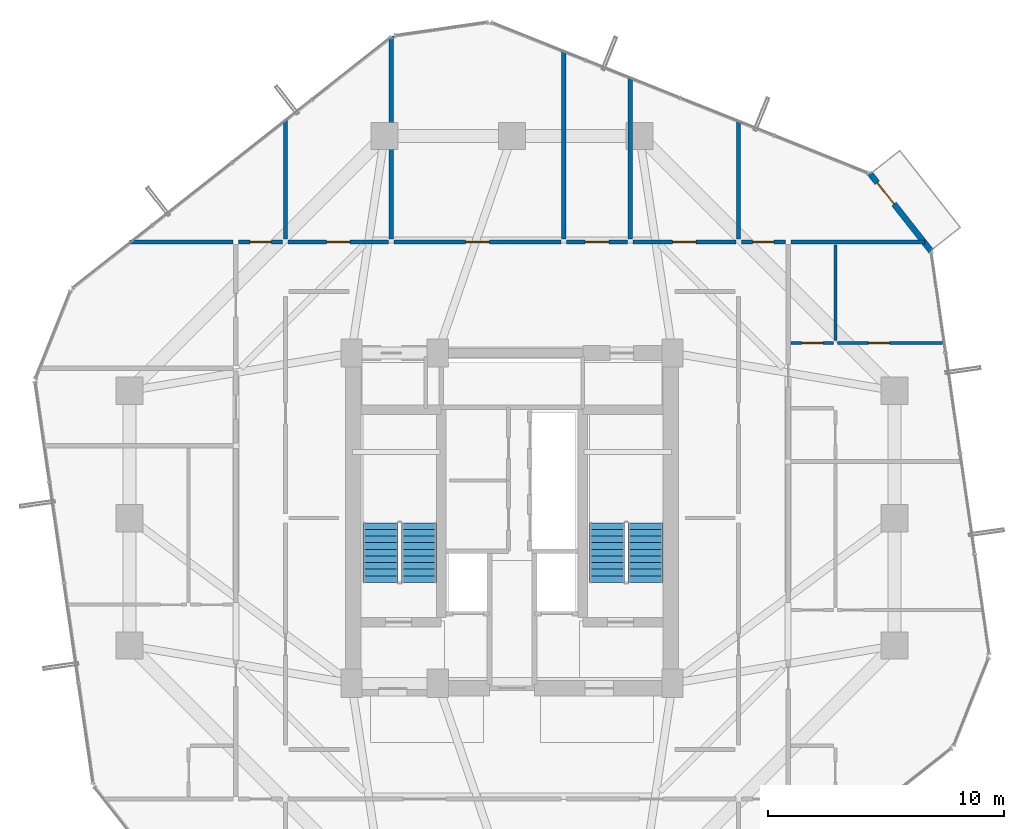
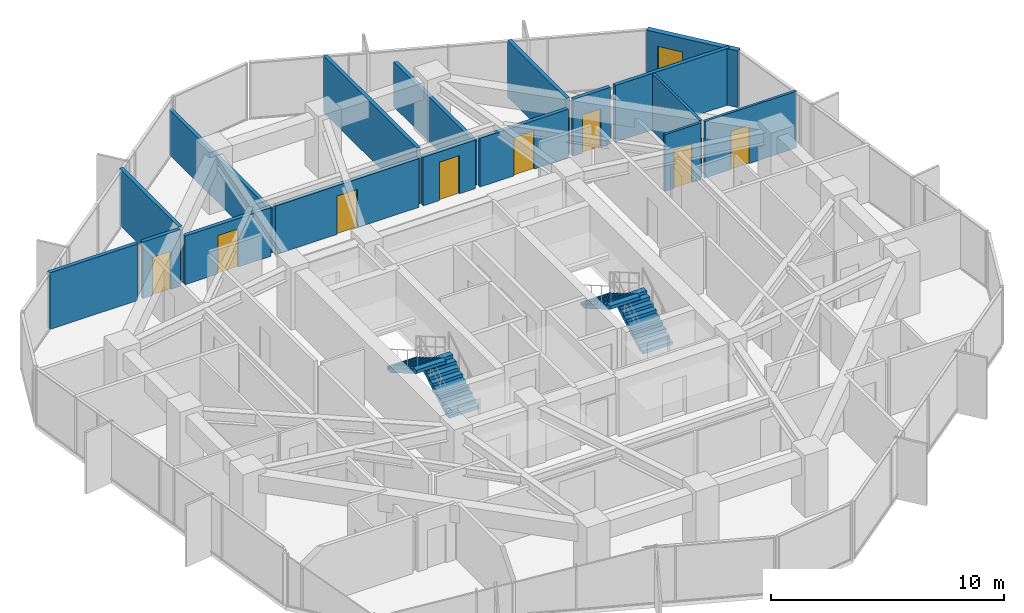
# One storey, part 32 of 34: 17 walls, 9 doors, 4 stair flights, 9 openings, 2 elements without a shape of their own.
"""IFC4 building model written with IfcOpenShell, lengths in metres."""

from ifc_helpers import new_model, si_unit, direction, frame, frame_2d, origin, place, context, subcontext, project, spatial, polyline, rectangle, outline, extrude, source, transform, mapped, material, layer, layer_set, type_object, element, fill, aggregate, save


model = new_model("IFC4")

# Units and contexts
model_context = context("Model", 3, precision=1e-05, world=origin(), true_north=direction((0.0, 1.0)))
body_context = subcontext(model_context, "Body", "Model", "MODEL_VIEW")
ifc_project = project(units=[si_unit("LENGTHUNIT", "METRE"), si_unit("AREAUNIT", "SQUARE_METRE"), si_unit("VOLUMEUNIT", "CUBIC_METRE"), si_unit("PLANEANGLEUNIT", "RADIAN"), si_unit("MASSUNIT", "GRAM", prefix="KILO")], contexts=[model_context])

# Site, building, storey
site_placement = place(None, origin())
site = spatial("IfcSite", under=ifc_project, at=site_placement, CompositionType="ELEMENT")
building_placement = place(site_placement, origin())
building = spatial("IfcBuilding", under=site, at=building_placement, Name="Veraguas Prism Commons", CompositionType="ELEMENT")
storey_placement = place(building_placement, frame((0.0, 0.0, 155.5)))
storey = spatial("IfcBuildingStorey", under=building, at=storey_placement, Name="L44", CompositionType="ELEMENT", Elevation=155.5)

# Walls
ifc_material_1 = material(Name="Autoclaved aerated masonry block 10 MPa", Category="masonry")
ifc_layer_1 = layer(ifc_material_1, 0.179931640625, Name="Corridor and Inter-Tenancy Partition 180", Category="masonry")
ifc_layer_set_1 = layer_set([ifc_layer_1], Name="Autoclaved aerated masonry block 10 MPa")
wall_type_1 = type_object("IfcWallType", Name="Corridor and Inter-Tenancy Partition 180", PredefinedType="PARTITIONING", material=ifc_layer_set_1)
wall_1_placement = place(storey_placement, frame((14.39990234375, 35.820068359375, 0.0), z_axis=(0.0, 0.0, 1.0), x_axis=(0.0, 1.0, 0.0)))
element("IfcWall", 1, at=wall_1_placement, inside=storey, type_object=wall_type_1, Name="WL-L44-PT005", PredefinedType="PARTITIONING", context=body_context, shape_type="SweptSolid", body=[
    extrude(rectangle(XDim=5.074462890625, YDim=0.179931640625, at=frame_2d((2.537109375, 0.0))), origin(), (0.0, 0.0, 1.0), 2.969970703125),
])
wall_2_placement = place(storey_placement, frame((33.60009765625, 35.820068359375, 0.0), z_axis=(0.0, 0.0, 1.0), x_axis=(0.0, 1.0, 0.0)))
element("IfcWall", 2, at=wall_2_placement, inside=storey, type_object=wall_type_1, Name="WL-L44-PT006", PredefinedType="PARTITIONING", context=body_context, shape_type="SweptSolid", body=[
    extrude(rectangle(XDim=5.033447265625, YDim=0.179931640625, at=frame_2d((2.5166015625, 0.0))), origin(), (0.0, 0.0, 1.0), 2.969970703125),
])

# Wall, opening, door
wall_3_placement = place(storey_placement, frame((14.510009765625, 35.699951171875, 0.0), z_axis=(0.0, 0.0, 1.0), x_axis=(1.0, 0.0, 0.0)))
wall_3 = element("IfcWall", 3, at=wall_3_placement, inside=storey, type_object=wall_type_1, Name="WL-L44-PT007", PredefinedType="PARTITIONING", context=body_context, shape_type="SweptSolid", body=[
    extrude(rectangle(XDim=4.261962890625, YDim=0.179931640625, at=frame_2d((2.130859375, 0.0))), origin(), (0.0, 0.0, 1.0), 2.550048828125),
])
opening_1_placement = place(wall_3_placement, frame((1.631103515625, 0.0, 0.0)))
opening_1 = element("IfcOpeningElement", 4, at=opening_1_placement, cuts=wall_3, Name="Opening DR-13", PredefinedType="OPENING", context=body_context, shape_type="SweptSolid", body=[
    extrude(rectangle(XDim=1.0, YDim=2.010009765625, at=frame_2d((0.5, 1.0048828125))), frame((0.0, 0.099853515625, 0.0), z_axis=(0.0, -1.0, 0.0), x_axis=(1.0, 0.0, 0.0)), (0.0, 0.0, 1.0), 0.199951171875),
])
ifc_material_2 = material(Name="Steel fire-rated door assembly", Category="steel")
door_type_1 = type_object("IfcDoorType", Name="Core Accessible WC and Clinic Fire Door 1000x2010", OperationType="NOTDEFINED", PredefinedType="DOOR", material=ifc_material_2)
shared_shape_1 = source(origin(), body_context, "Body", "SweptSolid", [
    extrude(rectangle(XDim=1.0, YDim=2.010009765625, at=frame_2d((0.5, 1.0048828125))), frame((0.0, 0.02490234375, 0.0), z_axis=(0.0, -1.0, 0.0), x_axis=(1.0, 0.0, 0.0)), (0.0, 0.0, 1.0), 0.050048828125),
])
door_1_placement = place(opening_1_placement, origin())
door_1 = element("IfcDoor", 5, at=door_1_placement, inside=storey, type_object=door_type_1, Name="Community Co-op Kitchen Door", OperationType="SINGLE_SWING_LEFT", OverallHeight=2.010009765625, OverallWidth=1.0, PredefinedType="DOOR", context=body_context, shape_type="MappedRepresentation", body=[
    mapped(shared_shape_1, transform((0.0, 0.0, 0.0), scale=1.0)),
])
fill(opening_1, door_1)

wall_4_placement = place(storey_placement, frame((18.991943359375, 35.699951171875, 0.0), z_axis=(0.0, 0.0, 1.0), x_axis=(1.0, 0.0, 0.0)))
wall_4 = element("IfcWall", 6, at=wall_4_placement, inside=storey, type_object=wall_type_1, Name="WL-L44-PT008", PredefinedType="PARTITIONING", context=body_context, shape_type="SweptSolid", body=[
    extrude(rectangle(XDim=7.092041015625, YDim=0.179931640625, at=frame_2d((3.5458984375, 0.0))), origin(), (0.0, 0.0, 1.0), 2.550048828125),
])
opening_2_placement = place(wall_4_placement, frame((3.0458984375, 0.0, 0.0)))
opening_2 = element("IfcOpeningElement", 7, at=opening_2_placement, cuts=wall_4, Name="Opening DR-13", PredefinedType="OPENING", context=body_context, shape_type="SweptSolid", body=[
    extrude(rectangle(XDim=1.0, YDim=2.010009765625, at=frame_2d((0.5, 1.0048828125))), frame((0.0, 0.099853515625, 0.0), z_axis=(0.0, -1.0, 0.0), x_axis=(1.0, 0.0, 0.0)), (0.0, 0.0, 1.0), 0.199951171875),
])
door_2_placement = place(opening_2_placement, origin())
door_2 = element("IfcDoor", 8, at=door_2_placement, inside=storey, type_object=door_type_1, Name="Co-op Store N Door", OperationType="SINGLE_SWING_RIGHT", OverallHeight=2.010009765625, OverallWidth=1.0, PredefinedType="DOOR", context=body_context, shape_type="MappedRepresentation", body=[
    mapped(shared_shape_1, transform((0.0, 0.0, 0.0), scale=1.0)),
])
fill(opening_2, door_2)

# Walls
wall_5_placement = place(storey_placement, frame((18.882080078125, 35.820068359375, 0.0), z_axis=(0.0, 0.0, 1.0), x_axis=(0.0, 1.0, 0.0)))
element("IfcWall", 9, at=wall_5_placement, inside=storey, type_object=wall_type_1, Name="WL-L44-PT009", PredefinedType="PARTITIONING", context=body_context, shape_type="SweptSolid", body=[
    extrude(rectangle(XDim=8.604248046875, YDim=0.179931640625, at=frame_2d((4.30224609375, 0.0))), origin(), (0.0, 0.0, 1.0), 2.347900390625),
])
wall_6_placement = place(storey_placement, frame((26.194091796875, 35.820068359375, 0.0), z_axis=(0.0, 0.0, 1.0), x_axis=(0.0, 1.0, 0.0)))
element("IfcWall", 10, at=wall_6_placement, inside=storey, type_object=wall_type_1, Name="WL-L44-PT010", PredefinedType="PARTITIONING", context=body_context, shape_type="SweptSolid", body=[
    extrude(rectangle(XDim=7.99267578125, YDim=0.179931640625, at=frame_2d((3.996337890625, 0.0))), origin(), (0.0, 0.0, 1.0), 2.969970703125),
])

# Wall, opening, door
wall_7_placement = place(storey_placement, frame((26.303955078125, 35.699951171875, 0.0), z_axis=(0.0, 0.0, 1.0), x_axis=(1.0, 0.0, 0.0)))
wall_7 = element("IfcWall", 11, at=wall_7_placement, inside=storey, type_object=wall_type_1, Name="WL-L44-PT011", PredefinedType="PARTITIONING", context=body_context, shape_type="SweptSolid", body=[
    extrude(rectangle(XDim=2.593994140625, YDim=0.179931640625, at=frame_2d((1.296875, 0.0))), origin(), (0.0, 0.0, 1.0), 2.550048828125),
])
opening_3_placement = place(wall_7_placement, frame((0.797119140625, 0.0, 0.0)))
opening_3 = element("IfcOpeningElement", 12, at=opening_3_placement, cuts=wall_7, Name="Opening DR-13", PredefinedType="OPENING", context=body_context, shape_type="SweptSolid", body=[
    extrude(rectangle(XDim=1.0, YDim=2.010009765625, at=frame_2d((0.5, 1.0048828125))), frame((0.0, 0.099853515625, 0.0), z_axis=(0.0, -1.0, 0.0), x_axis=(1.0, 0.0, 0.0)), (0.0, 0.0, 1.0), 0.199951171875),
])
door_3_placement = place(opening_3_placement, origin())
door_3 = element("IfcDoor", 13, at=door_3_placement, inside=storey, type_object=door_type_1, Name="Youth Homework Study Room Door", OperationType="SINGLE_SWING_LEFT", OverallHeight=2.010009765625, OverallWidth=1.0, PredefinedType="DOOR", context=body_context, shape_type="MappedRepresentation", body=[
    mapped(shared_shape_1, transform((0.0, 0.0, 0.0), scale=1.0)),
])
fill(opening_3, door_3)

wall_8_placement = place(storey_placement, frame((29.117919921875, 35.699951171875, 0.0), z_axis=(0.0, 0.0, 1.0), x_axis=(1.0, 0.0, 0.0)))
wall_8 = element("IfcWall", 14, at=wall_8_placement, inside=storey, type_object=wall_type_1, Name="WL-L44-PT012", PredefinedType="PARTITIONING", context=body_context, shape_type="SweptSolid", body=[
    extrude(rectangle(XDim=4.3720703125, YDim=0.179931640625, at=frame_2d((2.18603515625, 0.0))), origin(), (0.0, 0.0, 1.0), 2.550048828125),
])
opening_4_placement = place(wall_8_placement, frame((1.68603515625, 0.0, 0.0)))
opening_4 = element("IfcOpeningElement", 15, at=opening_4_placement, cuts=wall_8, Name="Opening DR-13", PredefinedType="OPENING", context=body_context, shape_type="SweptSolid", body=[
    extrude(rectangle(XDim=1.0, YDim=2.010009765625, at=frame_2d((0.5, 1.0048828125))), frame((0.0, 0.099853515625, 0.0), z_axis=(0.0, -1.0, 0.0), x_axis=(1.0, 0.0, 0.0)), (0.0, 0.0, 1.0), 0.199951171875),
])
door_4_placement = place(opening_4_placement, origin())
door_4 = element("IfcDoor", 16, at=door_4_placement, inside=storey, type_object=door_type_1, Name="Co-op Store N Door", OperationType="SINGLE_SWING_RIGHT", OverallHeight=2.010009765625, OverallWidth=1.0, PredefinedType="DOOR", context=body_context, shape_type="MappedRepresentation", body=[
    mapped(shared_shape_1, transform((0.0, 0.0, 0.0), scale=1.0)),
])
fill(opening_4, door_4)

# Walls
wall_9_placement = place(storey_placement, frame((29.008056640625, 35.820068359375, 0.0), z_axis=(0.0, 0.0, 1.0), x_axis=(0.0, 1.0, 0.0)))
element("IfcWall", 17, at=wall_9_placement, inside=storey, type_object=wall_type_1, Name="WL-L44-PT013", PredefinedType="PARTITIONING", context=body_context, shape_type="SweptSolid", body=[
    extrude(rectangle(XDim=6.8681640625, YDim=0.179931640625, at=frame_2d((3.43408203125, 0.0))), origin(), (0.0, 0.0, 1.0), 2.347900390625),
])
wall_10_placement = place(storey_placement, frame((12.179931640625, 35.699951171875, 0.0), z_axis=(0.0, 0.0, 1.0), x_axis=(-1.0, 0.0, 0.0)))
element("IfcWall", 18, at=wall_10_placement, inside=storey, type_object=wall_type_1, Name="WL-L44-PT015", PredefinedType="PARTITIONING", context=body_context, shape_type="SweptSolid", body=[
    extrude(rectangle(XDim=4.376220703125, YDim=0.179931640625, at=frame_2d((2.18798828125, 0.0))), origin(), (0.0, 0.0, 1.0), 2.969970703125),
])
wall_11_placement = place(storey_placement, frame((35.820068359375, 35.699951171875, 0.0), z_axis=(0.0, 0.0, 1.0), x_axis=(1.0, 0.0, 0.0)))
element("IfcWall", 19, at=wall_11_placement, inside=storey, type_object=wall_type_1, Name="WL-L44-PT027", PredefinedType="PARTITIONING", context=body_context, shape_type="SweptSolid", body=[
    extrude(rectangle(XDim=5.672119140625, YDim=0.179931640625, at=frame_2d((2.8359375, 0.0))), origin(), (0.0, 0.0, 1.0), 2.969970703125),
])

# Wall, opening, door
wall_12_placement = place(storey_placement, frame((12.419921875, 35.699951171875, 0.0), z_axis=(0.0, 0.0, 1.0), x_axis=(1.0, 0.0, 0.0)))
wall_12 = element("IfcWall", 20, at=wall_12_placement, inside=storey, type_object=wall_type_1, Name="WL-L44-PT043", PredefinedType="PARTITIONING", context=body_context, shape_type="SweptSolid", body=[
    extrude(rectangle(XDim=1.860107421875, YDim=0.179931640625, at=frame_2d((0.93017578125, 0.0))), origin(), (0.0, 0.0, 1.0), 2.969970703125),
])
opening_5_placement = place(wall_12_placement, frame((0.47998046875, 0.0, 0.0)))
opening_5 = element("IfcOpeningElement", 21, at=opening_5_placement, cuts=wall_12, Name="Opening DR-14", PredefinedType="OPENING", context=body_context, shape_type="SweptSolid", body=[
    extrude(rectangle(XDim=0.89990234375, YDim=2.010009765625, at=frame_2d((0.449951171875, 1.0048828125))), frame((0.0, 0.099853515625, 0.0), z_axis=(0.0, -1.0, 0.0), x_axis=(1.0, 0.0, 0.0)), (0.0, 0.0, 1.0), 0.199951171875),
])
door_type_2 = type_object("IfcDoorType", Name="Core Service Room Fire Door 900x2010", OperationType="NOTDEFINED", PredefinedType="DOOR", material=ifc_material_2)
shared_shape_2 = source(origin(), body_context, "Body", "SweptSolid", [
    extrude(rectangle(XDim=0.89990234375, YDim=2.010009765625, at=frame_2d((0.449951171875, 1.0048828125))), frame((0.0, 0.02490234375, 0.0), z_axis=(0.0, -1.0, 0.0), x_axis=(1.0, 0.0, 0.0)), (0.0, 0.0, 1.0), 0.050048828125),
])
door_5_placement = place(opening_5_placement, origin())
door_5 = element("IfcDoor", 22, at=door_5_placement, inside=storey, type_object=door_type_2, Name="Community Co-op Kitchen NW Door", OperationType="SINGLE_SWING_LEFT", OverallHeight=2.010009765625, OverallWidth=0.89990234375, PredefinedType="DOOR", context=body_context, shape_type="MappedRepresentation", body=[
    mapped(shared_shape_2, transform((0.0, 0.0, 0.0), scale=1.0)),
])
fill(opening_5, door_5)

wall_13_placement = place(storey_placement, frame((33.719970703125, 35.699951171875, 0.0), z_axis=(0.0, 0.0, 1.0), x_axis=(1.0, 0.0, 0.0)))
wall_13 = element("IfcWall", 23, at=wall_13_placement, inside=storey, type_object=wall_type_1, Name="WL-L44-PT044", PredefinedType="PARTITIONING", context=body_context, shape_type="SweptSolid", body=[
    extrude(rectangle(XDim=1.860107421875, YDim=0.179931640625, at=frame_2d((0.93017578125, 0.0))), origin(), (0.0, 0.0, 1.0), 2.969970703125),
])
opening_6_placement = place(wall_13_placement, frame((0.47998046875, 0.0, 0.0)))
opening_6 = element("IfcOpeningElement", 24, at=opening_6_placement, cuts=wall_13, Name="Opening DR-14", PredefinedType="OPENING", context=body_context, shape_type="SweptSolid", body=[
    extrude(rectangle(XDim=0.89990234375, YDim=2.010009765625, at=frame_2d((0.449951171875, 1.0048828125))), frame((0.0, 0.099853515625, 0.0), z_axis=(0.0, -1.0, 0.0), x_axis=(1.0, 0.0, 0.0)), (0.0, 0.0, 1.0), 0.199951171875),
])
door_6_placement = place(opening_6_placement, origin())
door_6 = element("IfcDoor", 25, at=door_6_placement, inside=storey, type_object=door_type_2, Name="Residents Cycle and Pram Store NE Door", OperationType="SINGLE_SWING_RIGHT", OverallHeight=2.010009765625, OverallWidth=0.89990234375, PredefinedType="DOOR", context=body_context, shape_type="MappedRepresentation", body=[
    mapped(shared_shape_2, transform((0.0, 0.0, 0.0), scale=1.0)),
])
fill(opening_6, door_6)

ifc_material_3 = material(Name="Precast concrete C40/50", Category="concrete")
ifc_layer_2 = layer(ifc_material_3, 0.25, Name="External Loggia and Portal Wall 250", Category="concrete")
ifc_layer_set_2 = layer_set([ifc_layer_2], Name="Precast concrete C40/50")
wall_type_2 = type_object("IfcWallType", Name="External Loggia and Portal Wall 250", PredefinedType="SOLIDWALL", material=ifc_layer_set_2)
wall_14_placement = place(storey_placement, frame((41.76953125, 35.29931640625, 0.0), z_axis=(0.0, 0.0, 1.0), x_axis=(-0.618677028306, 0.785645425523, 0.0)))
wall_14 = element("IfcWall", 26, at=wall_14_placement, inside=storey, type_object=wall_type_2, Name="Corner Loggia Wall L44-C1", PredefinedType="SOLIDWALL", context=body_context, shape_type="SweptSolid", body=[
    extrude(rectangle(XDim=4.233154296875, YDim=0.25, at=frame_2d((2.11669921875, 0.0))), origin(), (0.0, 0.0, 1.0), 2.969970703125),
])
opening_7_placement = place(wall_14_placement, frame((2.56005859375, 0.0, 0.0)))
opening_7 = element("IfcOpeningElement", 27, at=opening_7_placement, cuts=wall_14, Name="Opening DR-10", PredefinedType="OPENING", context=body_context, shape_type="SweptSolid", body=[
    extrude(rectangle(XDim=1.14990234375, YDim=2.25, at=frame_2d((0.574951171875, 1.125))), frame((0.0, 0.135009765625, 0.0), z_axis=(0.0, -1.0, 0.0), x_axis=(1.0, 0.0, 0.0)), (0.0, 0.0, 1.0), 0.27001953125),
])
ifc_material_4 = material(Name="Anodised aluminium EN AW-6063 T6", Category="aluminium")
door_type_3 = type_object("IfcDoorType", Name="Glazed Loggia and Terrace Door 1150x2250", OperationType="NOTDEFINED", PredefinedType="DOOR", material=ifc_material_4)
shared_shape_3 = source(origin(), body_context, "Body", "SweptSolid", [
    extrude(rectangle(XDim=1.14990234375, YDim=2.25, at=frame_2d((0.574951171875, 1.125))), frame((0.0, 0.02490234375, 0.0), z_axis=(0.0, -1.0, 0.0), x_axis=(1.0, 0.0, 0.0)), (0.0, 0.0, 1.0), 0.050048828125),
])
door_7_placement = place(opening_7_placement, frame((1.14990234375, 0.0, 0.0), z_axis=(0.0, 0.0, 1.0), x_axis=(-1.0, 0.0, 0.0)))
door_7 = element("IfcDoor", 28, at=door_7_placement, inside=storey, type_object=door_type_3, Name="Recessed Loggia Door L44-C1", OperationType="SINGLE_SWING_RIGHT", OverallHeight=2.25, OverallWidth=1.14990234375, PredefinedType="DOOR", context=body_context, shape_type="MappedRepresentation", body=[
    mapped(shared_shape_3, transform((0.0, 0.0, 0.0), scale=1.0)),
])
fill(opening_7, door_7)

ifc_material_5 = material(Name="Lightweight acoustic gypsum board")
ifc_layer_3 = layer(ifc_material_5, 0.125, Name="Internal Apartment Room Partition 125")
ifc_layer_set_3 = layer_set([ifc_layer_3], Name="Lightweight acoustic gypsum board")
wall_type_3 = type_object("IfcWallType", Name="Internal Apartment Room Partition 125", PredefinedType="PARTITIONING", material=ifc_layer_set_3)
wall_15_placement = place(storey_placement, frame((35.820068359375, 31.423095703125, 0.0), z_axis=(0.0, 0.0, 1.0), x_axis=(1.0, 0.0, 0.0)))
wall_15 = element("IfcWall", 29, at=wall_15_placement, inside=storey, type_object=wall_type_3, Name="WL-L44-PT038", PredefinedType="PARTITIONING", context=body_context, shape_type="SweptSolid", body=[
    extrude(rectangle(XDim=1.800048828125, YDim=0.125, at=frame_2d((0.89990234375, 0.0))), origin(), (0.0, 0.0, 1.0), 2.969970703125),
])
opening_8_placement = place(wall_15_placement, frame((0.449951171875, 0.0, 0.0)))
opening_8 = element("IfcOpeningElement", 30, at=opening_8_placement, cuts=wall_15, Name="Opening DR-02", PredefinedType="OPENING", context=body_context, shape_type="SweptSolid", body=[
    extrude(rectangle(XDim=0.89990234375, YDim=2.010009765625, at=frame_2d((0.449951171875, 1.0048828125))), frame((0.0, 0.072509765625, 0.0), z_axis=(0.0, -1.0, 0.0), x_axis=(1.0, 0.0, 0.0)), (0.0, 0.0, 1.0), 0.14501953125),
])
ifc_material_6 = material(Name="Timber solid core hardwood", Category="wood")
door_type_4 = type_object("IfcDoorType", Name="Internal Habitable Room Door 900x2010", OperationType="NOTDEFINED", PredefinedType="DOOR", material=ifc_material_6)
door_8_placement = place(opening_8_placement, origin())
door_8 = element("IfcDoor", 31, at=door_8_placement, inside=storey, type_object=door_type_4, Name="Flat 44C Kitchen Door", OperationType="SINGLE_SWING_LEFT", OverallHeight=2.010009765625, OverallWidth=0.89990234375, PredefinedType="DOOR", context=body_context, shape_type="MappedRepresentation", body=[
    mapped(shared_shape_2, transform((0.0, 0.0, 0.0), scale=1.0)),
])
fill(opening_8, door_8)

# Wall
wall_16_placement = place(storey_placement, frame((37.699951171875, 31.52294921875, 0.0), z_axis=(0.0, 0.0, 1.0), x_axis=(0.0, 1.0, 0.0)))
element("IfcWall", 32, at=wall_16_placement, inside=storey, type_object=wall_type_3, Name="WL-L44-PT039", PredefinedType="PARTITIONING", context=body_context, shape_type="SweptSolid", body=[
    extrude(rectangle(XDim=4.05712890625, YDim=0.125, at=frame_2d((2.028564453125, 0.0))), origin(), (0.0, 0.0, 1.0), 2.969970703125),
])

# Wall, opening, door
wall_17_placement = place(storey_placement, frame((37.800048828125, 31.423095703125, 0.0), z_axis=(0.0, 0.0, 1.0), x_axis=(1.0, 0.0, 0.0)))
wall_17 = element("IfcWall", 33, at=wall_17_placement, inside=storey, type_object=wall_type_3, Name="WL-L44-PT040", PredefinedType="PARTITIONING", context=body_context, shape_type="SweptSolid", body=[
    extrude(rectangle(XDim=4.53955078125, YDim=0.125, at=frame_2d((2.269775390625, 0.0))), origin(), (0.0, 0.0, 1.0), 2.969970703125),
])
opening_9_placement = place(wall_17_placement, frame((1.301513671875, 0.0, 0.0)))
opening_9 = element("IfcOpeningElement", 34, at=opening_9_placement, cuts=wall_17, Name="Opening DR-02", PredefinedType="OPENING", context=body_context, shape_type="SweptSolid", body=[
    extrude(rectangle(XDim=0.89990234375, YDim=2.010009765625, at=frame_2d((0.449951171875, 1.0048828125))), frame((0.0, 0.072509765625, 0.0), z_axis=(0.0, -1.0, 0.0), x_axis=(1.0, 0.0, 0.0)), (0.0, 0.0, 1.0), 0.14501953125),
])
door_9_placement = place(opening_9_placement, origin())
door_9 = element("IfcDoor", 35, at=door_9_placement, inside=storey, type_object=door_type_4, Name="Flat 44C Bedroom 1 Door", OperationType="SINGLE_SWING_RIGHT", OverallHeight=2.010009765625, OverallWidth=0.89990234375, PredefinedType="DOOR", context=body_context, shape_type="MappedRepresentation", body=[
    mapped(shared_shape_2, transform((0.0, 0.0, 0.0), scale=1.0)),
])
fill(opening_9, door_9)

# Stair, stair flights
ifc_material_7 = material(Name="Precast concrete C45/55", Category="concrete")
stair_type = type_object("IfcStairType", Name="Dogleg Core Stair 1480W 20R 05", PredefinedType="HALF_TURN_STAIR", material=ifc_material_7)
stair_1_placement = place(storey_placement, origin())
stair_1 = element("IfcStair", 36, at=stair_1_placement, inside=storey, type_object=stair_type, Name="Protected Exit Stair ST-01 L44", PredefinedType="HALF_TURN_STAIR")
stair_flight_type = type_object("IfcStairFlightType", Name="Precast Stair Flight 1480W 10R 05", PredefinedType="STRAIGHT", material=ifc_material_7)
stair_flight_1_placement = place(storey_placement, frame((20.06005859375, 21.280029296875, 0.0), z_axis=(0.0, 0.0, 1.0), x_axis=(0.0, 1.0, 0.0)))
stair_flight_1 = element("IfcStairFlight", 37, at=stair_flight_1_placement, type_object=stair_flight_type, Name="ST-05 Flight 1", NumberOfRisers=10, NumberOfTreads=9, PredefinedType="STRAIGHT", RiserHeight=0.1625, TreadLength=0.28, context=body_context, shape_type="SweptSolid", body=[
    extrude(outline(polyline([(0.0, 0.0), (0.0, 0.16259765625), (0.280029296875, 0.16259765625), (0.280029296875, 0.324951171875), (0.56005859375, 0.324951171875), (0.56005859375, 0.487548828125), (0.840087890625, 0.487548828125), (0.840087890625, 0.64990234375), (1.1201171875, 0.64990234375), (1.1201171875, 0.8125), (1.39990234375, 0.8125), (1.39990234375, 0.97509765625), (1.679931640625, 0.97509765625), (1.679931640625, 1.137451171875), (1.9599609375, 1.137451171875), (1.9599609375, 1.300048828125), (2.239990234375, 1.300048828125), (2.239990234375, 1.46240234375), (2.52001953125, 1.46240234375), (2.52001953125, 1.625), (2.52001953125, 1.2890625), (0.298583984375, 0.0), (0.0, 0.0)])), frame((0.0, 0.739990234375, 0.0), z_axis=(0.0, -1.0, 0.0), x_axis=(1.0, 0.0, 0.0)), (0.0, 0.0, 1.0), 1.47998046875),
])
stair_flight_2_placement = place(storey_placement, frame((18.429931640625, 23.800048828125, 1.625), z_axis=(0.0, 0.0, 1.0), x_axis=(0.0, -1.0, 0.0)))
stair_flight_2 = element("IfcStairFlight", 38, at=stair_flight_2_placement, type_object=stair_flight_type, Name="ST-05 Flight 2", NumberOfRisers=10, NumberOfTreads=9, PredefinedType="STRAIGHT", RiserHeight=0.1625, TreadLength=0.28, context=body_context, shape_type="SweptSolid", body=[
    extrude(outline(polyline([(0.0, 0.0), (0.0, 0.16259765625), (0.280029296875, 0.16259765625), (0.280029296875, 0.324951171875), (0.56005859375, 0.324951171875), (0.56005859375, 0.487548828125), (0.840087890625, 0.487548828125), (0.840087890625, 0.64990234375), (1.1201171875, 0.64990234375), (1.1201171875, 0.8125), (1.39990234375, 0.8125), (1.39990234375, 0.97509765625), (1.679931640625, 0.97509765625), (1.679931640625, 1.137451171875), (1.9599609375, 1.137451171875), (1.9599609375, 1.300048828125), (2.239990234375, 1.300048828125), (2.239990234375, 1.46240234375), (2.52001953125, 1.46240234375), (2.52001953125, 1.625), (2.52001953125, 1.2890625), (0.298583984375, 0.0), (0.0, 0.0)])), frame((0.0, 0.739990234375, 0.0), z_axis=(0.0, -1.0, 0.0), x_axis=(1.0, 0.0, 0.0)), (0.0, 0.0, 1.0), 1.47998046875),
])
aggregate(stair_1, [stair_flight_1, stair_flight_2])

stair_2_placement = place(storey_placement, origin())
stair_2 = element("IfcStair", 39, at=stair_2_placement, inside=storey, type_object=stair_type, Name="Protected Exit Stair ST-02 L44", PredefinedType="HALF_TURN_STAIR")
stair_flight_3_placement = place(storey_placement, frame((29.659912109375, 21.280029296875, 0.0), z_axis=(0.0, 0.0, 1.0), x_axis=(0.0, 1.0, 0.0)))
stair_flight_3 = element("IfcStairFlight", 40, at=stair_flight_3_placement, type_object=stair_flight_type, Name="ST-05 Flight 1", NumberOfRisers=10, NumberOfTreads=9, PredefinedType="STRAIGHT", RiserHeight=0.1625, TreadLength=0.28, context=body_context, shape_type="SweptSolid", body=[
    extrude(outline(polyline([(0.0, 0.0), (0.0, 0.16259765625), (0.280029296875, 0.16259765625), (0.280029296875, 0.324951171875), (0.56005859375, 0.324951171875), (0.56005859375, 0.487548828125), (0.840087890625, 0.487548828125), (0.840087890625, 0.64990234375), (1.1201171875, 0.64990234375), (1.1201171875, 0.8125), (1.39990234375, 0.8125), (1.39990234375, 0.97509765625), (1.679931640625, 0.97509765625), (1.679931640625, 1.137451171875), (1.9599609375, 1.137451171875), (1.9599609375, 1.300048828125), (2.239990234375, 1.300048828125), (2.239990234375, 1.46240234375), (2.52001953125, 1.46240234375), (2.52001953125, 1.625), (2.52001953125, 1.2890625), (0.298583984375, 0.0), (0.0, 0.0)])), frame((0.0, 0.739990234375, 0.0), z_axis=(0.0, -1.0, 0.0), x_axis=(1.0, 0.0, 0.0)), (0.0, 0.0, 1.0), 1.47998046875),
])
stair_flight_4_placement = place(storey_placement, frame((28.030029296875, 23.800048828125, 1.625), z_axis=(0.0, 0.0, 1.0), x_axis=(0.0, -1.0, 0.0)))
stair_flight_4 = element("IfcStairFlight", 41, at=stair_flight_4_placement, type_object=stair_flight_type, Name="ST-05 Flight 2", NumberOfRisers=10, NumberOfTreads=9, PredefinedType="STRAIGHT", RiserHeight=0.1625, TreadLength=0.28, context=body_context, shape_type="SweptSolid", body=[
    extrude(outline(polyline([(0.0, 0.0), (0.0, 0.16259765625), (0.280029296875, 0.16259765625), (0.280029296875, 0.324951171875), (0.56005859375, 0.324951171875), (0.56005859375, 0.487548828125), (0.840087890625, 0.487548828125), (0.840087890625, 0.64990234375), (1.1201171875, 0.64990234375), (1.1201171875, 0.8125), (1.39990234375, 0.8125), (1.39990234375, 0.97509765625), (1.679931640625, 0.97509765625), (1.679931640625, 1.137451171875), (1.9599609375, 1.137451171875), (1.9599609375, 1.300048828125), (2.239990234375, 1.300048828125), (2.239990234375, 1.46240234375), (2.52001953125, 1.46240234375), (2.52001953125, 1.625), (2.52001953125, 1.2890625), (0.298583984375, 0.0), (0.0, 0.0)])), frame((0.0, 0.739990234375, 0.0), z_axis=(0.0, -1.0, 0.0), x_axis=(1.0, 0.0, 0.0)), (0.0, 0.0, 1.0), 1.47998046875),
])
aggregate(stair_2, [stair_flight_3, stair_flight_4])

save(model, "model.ifc")
